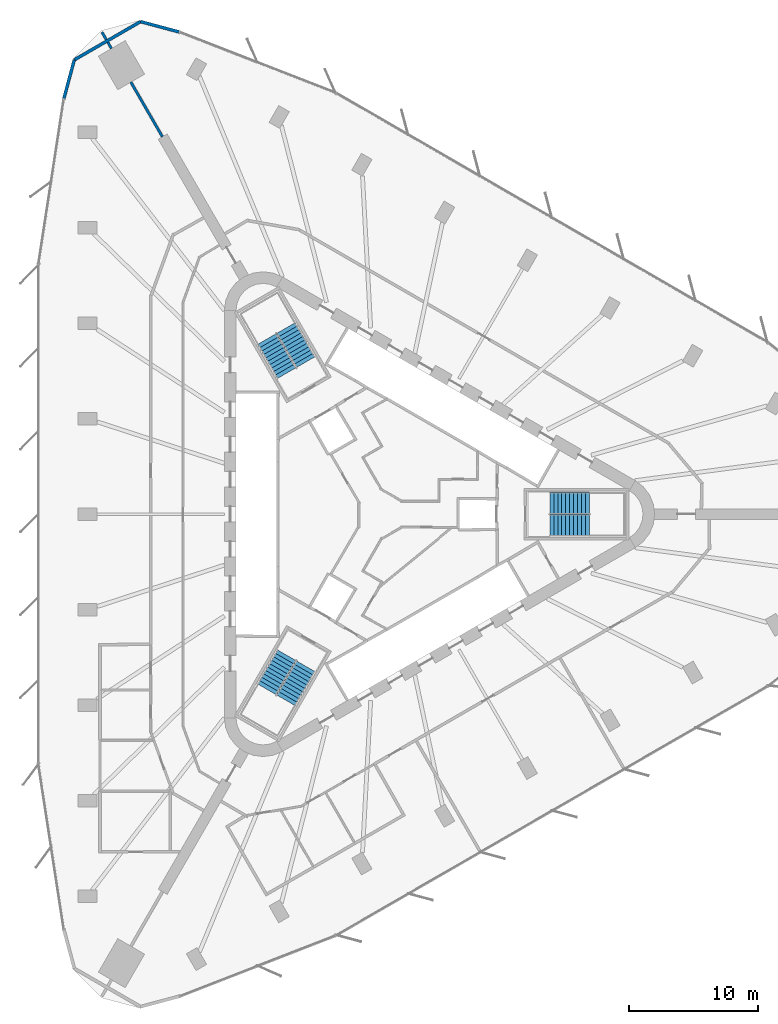
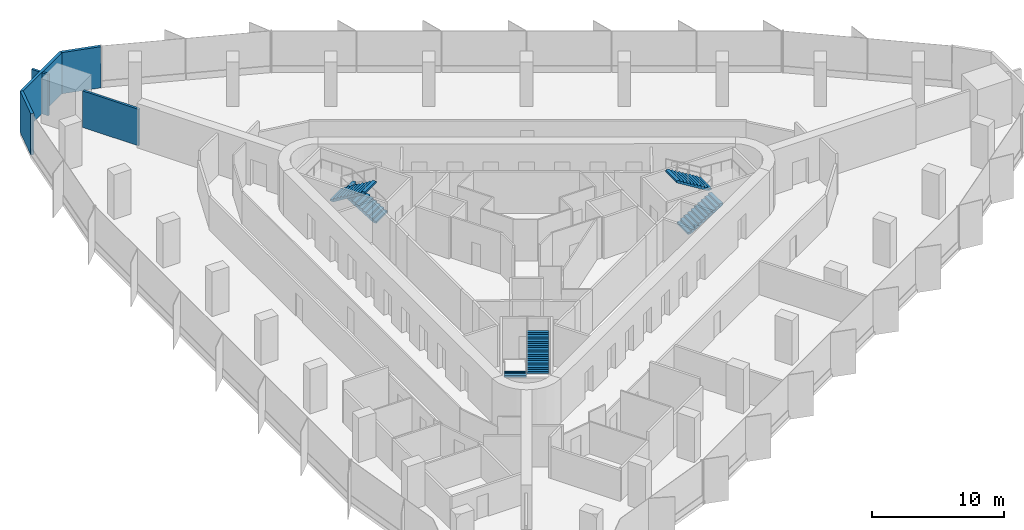
# One storey, part 14 of 15: 6 stair flights, 6 walls, 3 elements without a shape of their own.
"""IFC4 building model written with IfcOpenShell, lengths in metres."""

from ifc_helpers import new_model, si_unit, direction, frame, frame_2d, origin, place, context, subcontext, project, spatial, polyline, rectangle, outline, extrude, material, layer, layer_set, type_object, element, aggregate, save


model = new_model("IFC4")

# Units and contexts
model_context = context("Model", 3, precision=1e-05, world=origin(), true_north=direction((0.0, 1.0)))
body_context = subcontext(model_context, "Body", "Model", "MODEL_VIEW")
ifc_project = project(units=[si_unit("LENGTHUNIT", "METRE"), si_unit("AREAUNIT", "SQUARE_METRE"), si_unit("VOLUMEUNIT", "CUBIC_METRE"), si_unit("PLANEANGLEUNIT", "RADIAN"), si_unit("MASSUNIT", "GRAM", prefix="KILO")], contexts=[model_context])

# Site, building, storey
site_placement = place(None, origin())
site = spatial("IfcSite", under=ifc_project, at=site_placement, CompositionType="ELEMENT")
building_placement = place(site_placement, origin())
building = spatial("IfcBuilding", under=site, at=building_placement, Name="Tanit Gate Tower", CompositionType="ELEMENT")
storey_placement = place(building_placement, frame((0.0, 0.0, 139.800048828125)))
storey = spatial("IfcBuildingStorey", under=building, at=storey_placement, Name="L30", CompositionType="ELEMENT", Elevation=139.800048828125)

# Walls
ifc_material_1 = material(Name="Concrete C30/37 with bronze anodised aluminium cladding", Category="concrete")
ifc_layer_1 = layer(ifc_material_1, 0.239990234375)
ifc_layer_set_1 = layer_set([ifc_layer_1], Name="Facade wall bronze clad 240")
wall_type_1 = type_object("IfcWallType", Name="Facade wall bronze clad 240", PredefinedType="SOLIDWALL", material=ifc_layer_set_1)
wall_1_placement = place(storey_placement, frame((-15.596435546875, 37.322265625, 0.0), z_axis=(0.0, 0.0, 1.0), x_axis=(-0.965937138664, 0.258776823055, 0.0)))
element("IfcWall", 1, at=wall_1_placement, inside=storey, type_object=wall_type_1, Name="Bronze-clad facade wall L30 NW.arc1", PredefinedType="SOLIDWALL", context=body_context, shape_type="SweptSolid", body=[
    extrude(rectangle(XDim=3.095458984375, YDim=0.239990234375, at=frame_2d((1.5478515625, 0.0))), origin(), (0.0, 0.0, 1.0), 3.800048828125),
])
wall_2_placement = place(storey_placement, frame((-18.58642578125, 38.123291015625, 0.0), z_axis=(0.0, 0.0, 1.0), x_axis=(-0.866020370013, -0.500008718647, 0.0)))
element("IfcWall", 2, at=wall_2_placement, inside=storey, type_object=wall_type_1, Name="Bronze-clad facade wall L30 NW.arc2", PredefinedType="SOLIDWALL", context=body_context, shape_type="SweptSolid", body=[
    extrude(rectangle(XDim=5.9306640625, YDim=0.239990234375, at=frame_2d((2.96533203125, 0.0))), origin(), (0.0, 0.0, 1.0), 3.800048828125),
])
wall_3_placement = place(storey_placement, frame((-23.722412109375, 35.157958984375, 0.0), z_axis=(0.0, 0.0, 1.0), x_axis=(-0.258850410475, -0.965917421417, 0.0)))
element("IfcWall", 3, at=wall_3_placement, inside=storey, type_object=wall_type_1, Name="Bronze-clad facade wall L30 NW.arc3", PredefinedType="SOLIDWALL", context=body_context, shape_type="SweptSolid", body=[
    extrude(rectangle(XDim=3.095458984375, YDim=0.239990234375, at=frame_2d((1.5478515625, 0.0))), origin(), (0.0, 0.0, 1.0), 3.800048828125),
])
ifc_material_2 = material(Name="Fire-rated gypsum board partition")
ifc_layer_2 = layer(ifc_material_2, 0.199951171875)
ifc_layer_set_2 = layer_set([ifc_layer_2], Name="INT-WALL-COMPARTMENT")
wall_type_2 = type_object("IfcWallType", Name="INT-WALL-COMPARTMENT", PredefinedType="PARTITIONING", material=ifc_layer_set_2)
wall_4_placement = place(storey_placement, frame((-21.57373046875, 37.306884765625, 0.0), z_axis=(0.0, 0.0, 1.0), x_axis=(0.499880961361, -0.866094119867, 0.0)))
element("IfcWall", 4, at=wall_4_placement, inside=storey, type_object=wall_type_2, Name="Wall Compartment W115", PredefinedType="PARTITIONING", context=body_context, shape_type="SweptSolid", body=[
    extrude(rectangle(XDim=0.666748046875, YDim=0.199951171875, at=frame_2d((0.33349609375, 0.0))), origin(), (0.0, 0.0, 1.0), 3.800048828125),
])
wall_5_placement = place(storey_placement, frame((-21.12060546875, 36.521728515625, 0.0), z_axis=(0.0, 0.0, 1.0), x_axis=(0.500161656815, -0.86593205106, 0.0)))
element("IfcWall", 5, at=wall_5_placement, inside=storey, type_object=wall_type_2, Name="Wall Compartment W115x1", PredefinedType="PARTITIONING", context=body_context, shape_type="SweptSolid", body=[
    extrude(rectangle(XDim=0.561279296875, YDim=0.199951171875, at=frame_2d((0.28076171875, 0.0))), origin(), (0.0, 0.0, 1.0), 3.800048828125),
])
wall_6_placement = place(storey_placement, frame((-19.33984375, 33.437744140625, 0.0), z_axis=(0.0, 0.0, 1.0), x_axis=(0.500002508028, -0.866023955769, 0.0)))
element("IfcWall", 6, at=wall_6_placement, inside=storey, type_object=wall_type_2, Name="Wall Compartment W116", PredefinedType="PARTITIONING", context=body_context, shape_type="SweptSolid", body=[
    extrude(rectangle(XDim=4.8798828125, YDim=0.199951171875, at=frame_2d((2.43994140625, 0.0))), origin(), (0.0, 0.0, 1.0), 3.369873046875),
])

# Stair, stair flights
ifc_material_3 = material(Name="Concrete C40/50", Category="concrete")
stair_type = type_object("IfcStairType", Name="INT-STAIR-EXIT", PredefinedType="HALF_TURN_STAIR", material=ifc_material_3)
stair_1_placement = place(storey_placement, origin())
stair_1 = element("IfcStair", 7, at=stair_1_placement, inside=storey, type_object=stair_type, Name="L30 STAIR S1", PredefinedType="HALF_TURN_STAIR")
ifc_material_4 = material(Name="Concrete C40/50", Category="concrete")
stair_flight_type = type_object("IfcStairFlightType", Name="INT-STAIR-FLIGHT", PredefinedType="STRAIGHT", material=ifc_material_4)
stair_flight_1_placement = place(storey_placement, frame((13.094970703125, -0.8525390625, 0.0), z_axis=(0.0, 0.0, 1.0), x_axis=(1.0, 0.0, 0.0)))
stair_flight_1 = element("IfcStairFlight", 8, at=stair_flight_1_placement, type_object=stair_flight_type, Name="S1 flight 1", NumberOfRisers=11, NumberOfTreads=10, PredefinedType="STRAIGHT", RiserHeight=0.186363636, TreadLength=0.3051, context=body_context, shape_type="SweptSolid", body=[
    extrude(outline(polyline([(0.0, 0.0), (0.0, 0.186279296875), (0.30517578125, 0.186279296875), (0.30517578125, 0.372802734375), (0.610107421875, 0.372802734375), (0.610107421875, 0.55908203125), (0.915283203125, 0.55908203125), (0.915283203125, 0.745361328125), (1.220458984375, 0.745361328125), (1.220458984375, 0.931884765625), (1.525390625, 0.931884765625), (1.525390625, 1.1181640625), (1.83056640625, 1.1181640625), (1.83056640625, 1.304443359375), (2.1357421875, 1.304443359375), (2.1357421875, 1.490966796875), (2.44091796875, 1.490966796875), (2.44091796875, 1.67724609375), (2.745849609375, 1.67724609375), (2.745849609375, 1.863525390625), (3.051025390625, 1.863525390625), (3.051025390625, 2.050048828125), (3.051025390625, 1.68798828125), (0.28759765625, 0.0), (0.0, 0.0)])), frame((0.0, 0.84765625, 0.0), z_axis=(0.0, -1.0, 0.0), x_axis=(1.0, 0.0, 0.0)), (0.0, 0.0, 1.0), 1.695068359375),
])
stair_flight_2_placement = place(storey_placement, frame((16.14599609375, 0.8525390625, 2.050048828125), z_axis=(0.0, 0.0, 1.0), x_axis=(-1.0, 0.0, 0.0)))
stair_flight_2 = element("IfcStairFlight", 9, at=stair_flight_2_placement, type_object=stair_flight_type, Name="S1 flight 2", NumberOfRisers=11, NumberOfTreads=10, PredefinedType="STRAIGHT", RiserHeight=0.186363636, TreadLength=0.3051, context=body_context, shape_type="SweptSolid", body=[
    extrude(outline(polyline([(0.0, 0.0), (0.0, 0.186279296875), (0.30517578125, 0.186279296875), (0.30517578125, 0.372802734375), (0.610107421875, 0.372802734375), (0.610107421875, 0.55908203125), (0.915283203125, 0.55908203125), (0.915283203125, 0.745361328125), (1.220458984375, 0.745361328125), (1.220458984375, 0.931884765625), (1.525390625, 0.931884765625), (1.525390625, 1.1181640625), (1.83056640625, 1.1181640625), (1.83056640625, 1.304443359375), (2.1357421875, 1.304443359375), (2.1357421875, 1.490966796875), (2.44091796875, 1.490966796875), (2.44091796875, 1.67724609375), (2.745849609375, 1.67724609375), (2.745849609375, 1.863525390625), (3.051025390625, 1.863525390625), (3.051025390625, 2.050048828125), (3.051025390625, 1.68798828125), (0.28759765625, 0.0), (0.0, 0.0)])), frame((0.0, 0.84765625, 0.0), z_axis=(0.0, -1.0, 0.0), x_axis=(1.0, 0.0, 0.0)), (0.0, 0.0, 1.0), 1.695068359375),
])
aggregate(stair_1, [stair_flight_1, stair_flight_2])

stair_2_placement = place(storey_placement, origin())
stair_2 = element("IfcStair", 10, at=stair_2_placement, inside=storey, type_object=stair_type, Name="L30 STAIR S2", PredefinedType="HALF_TURN_STAIR")
stair_flight_3_placement = place(storey_placement, frame((-5.808349609375, 11.766357421875, 0.0), z_axis=(0.0, 0.0, 1.0), x_axis=(-0.5, 0.866025403784, 0.0)))
stair_flight_3 = element("IfcStairFlight", 11, at=stair_flight_3_placement, type_object=stair_flight_type, Name="S2 flight 1", NumberOfRisers=11, NumberOfTreads=10, PredefinedType="STRAIGHT", RiserHeight=0.186363636, TreadLength=0.30492, context=body_context, shape_type="SweptSolid", body=[
    extrude(outline(polyline([(0.0, 0.0), (0.0, 0.186279296875), (0.304931640625, 0.186279296875), (0.304931640625, 0.372802734375), (0.60986328125, 0.372802734375), (0.60986328125, 0.55908203125), (0.914794921875, 0.55908203125), (0.914794921875, 0.745361328125), (1.2197265625, 0.745361328125), (1.2197265625, 0.931884765625), (1.524658203125, 0.931884765625), (1.524658203125, 1.1181640625), (1.82958984375, 1.1181640625), (1.82958984375, 1.304443359375), (2.134521484375, 1.304443359375), (2.134521484375, 1.490966796875), (2.439453125, 1.490966796875), (2.439453125, 1.67724609375), (2.744384765625, 1.67724609375), (2.744384765625, 1.863525390625), (3.04931640625, 1.863525390625), (3.04931640625, 2.050048828125), (3.04931640625, 1.68798828125), (0.287353515625, 0.0), (0.0, 0.0)])), frame((0.0, 0.84716796875, 0.0), z_axis=(0.0, -1.0, 0.0), x_axis=(1.0, 0.0, 0.0)), (0.0, 0.0, 1.0), 1.694091796875),
])
stair_flight_4_placement = place(storey_placement, frame((-8.810302734375, 13.553955078125, 2.050048828125), z_axis=(0.0, 0.0, 1.0), x_axis=(0.5, -0.866025403784, 0.0)))
stair_flight_4 = element("IfcStairFlight", 12, at=stair_flight_4_placement, type_object=stair_flight_type, Name="S2 flight 2", NumberOfRisers=11, NumberOfTreads=10, PredefinedType="STRAIGHT", RiserHeight=0.186363636, TreadLength=0.30492, context=body_context, shape_type="SweptSolid", body=[
    extrude(outline(polyline([(0.0, 0.0), (0.0, 0.186279296875), (0.304931640625, 0.186279296875), (0.304931640625, 0.372802734375), (0.60986328125, 0.372802734375), (0.60986328125, 0.55908203125), (0.914794921875, 0.55908203125), (0.914794921875, 0.745361328125), (1.2197265625, 0.745361328125), (1.2197265625, 0.931884765625), (1.524658203125, 0.931884765625), (1.524658203125, 1.1181640625), (1.82958984375, 1.1181640625), (1.82958984375, 1.304443359375), (2.134521484375, 1.304443359375), (2.134521484375, 1.490966796875), (2.439453125, 1.490966796875), (2.439453125, 1.67724609375), (2.744384765625, 1.67724609375), (2.744384765625, 1.863525390625), (3.04931640625, 1.863525390625), (3.04931640625, 2.050048828125), (3.04931640625, 1.68798828125), (0.287353515625, 0.0), (0.0, 0.0)])), frame((0.0, 0.84716796875, 0.0), z_axis=(0.0, -1.0, 0.0), x_axis=(1.0, 0.0, 0.0)), (0.0, 0.0, 1.0), 1.694091796875),
])
aggregate(stair_2, [stair_flight_3, stair_flight_4])

stair_3_placement = place(storey_placement, origin())
stair_3 = element("IfcStair", 13, at=stair_3_placement, inside=storey, type_object=stair_type, Name="L30 STAIR S3", PredefinedType="HALF_TURN_STAIR")
stair_flight_5_placement = place(storey_placement, frame((-7.285888671875, -10.914306640625, 0.0), z_axis=(0.0, 0.0, 1.0), x_axis=(-0.5, -0.866025403784, 0.0)))
stair_flight_5 = element("IfcStairFlight", 14, at=stair_flight_5_placement, type_object=stair_flight_type, Name="S3 flight 1", NumberOfRisers=11, NumberOfTreads=10, PredefinedType="STRAIGHT", RiserHeight=0.186363636, TreadLength=0.3051, context=body_context, shape_type="SweptSolid", body=[
    extrude(outline(polyline([(0.0, 0.0), (0.0, 0.186279296875), (0.30517578125, 0.186279296875), (0.30517578125, 0.372802734375), (0.610107421875, 0.372802734375), (0.610107421875, 0.55908203125), (0.915283203125, 0.55908203125), (0.915283203125, 0.745361328125), (1.220458984375, 0.745361328125), (1.220458984375, 0.931884765625), (1.525390625, 0.931884765625), (1.525390625, 1.1181640625), (1.83056640625, 1.1181640625), (1.83056640625, 1.304443359375), (2.1357421875, 1.304443359375), (2.1357421875, 1.490966796875), (2.44091796875, 1.490966796875), (2.44091796875, 1.67724609375), (2.745849609375, 1.67724609375), (2.745849609375, 1.863525390625), (3.051025390625, 1.863525390625), (3.051025390625, 2.050048828125), (3.051025390625, 1.68798828125), (0.28759765625, 0.0), (0.0, 0.0)])), frame((0.0, 0.84765625, 0.0), z_axis=(0.0, -1.0, 0.0), x_axis=(1.0, 0.0, 0.0)), (0.0, 0.0, 1.0), 1.695068359375),
])
stair_flight_6_placement = place(storey_placement, frame((-7.334716796875, -14.4091796875, 2.050048828125), z_axis=(0.0, 0.0, 1.0), x_axis=(0.5, 0.866025403784, 0.0)))
stair_flight_6 = element("IfcStairFlight", 15, at=stair_flight_6_placement, type_object=stair_flight_type, Name="S3 flight 2", NumberOfRisers=11, NumberOfTreads=10, PredefinedType="STRAIGHT", RiserHeight=0.186363636, TreadLength=0.3051, context=body_context, shape_type="SweptSolid", body=[
    extrude(outline(polyline([(0.0, 0.0), (0.0, 0.186279296875), (0.30517578125, 0.186279296875), (0.30517578125, 0.372802734375), (0.610107421875, 0.372802734375), (0.610107421875, 0.55908203125), (0.915283203125, 0.55908203125), (0.915283203125, 0.745361328125), (1.220458984375, 0.745361328125), (1.220458984375, 0.931884765625), (1.525390625, 0.931884765625), (1.525390625, 1.1181640625), (1.83056640625, 1.1181640625), (1.83056640625, 1.304443359375), (2.1357421875, 1.304443359375), (2.1357421875, 1.490966796875), (2.44091796875, 1.490966796875), (2.44091796875, 1.67724609375), (2.745849609375, 1.67724609375), (2.745849609375, 1.863525390625), (3.051025390625, 1.863525390625), (3.051025390625, 2.050048828125), (3.051025390625, 1.68798828125), (0.28759765625, 0.0), (0.0, 0.0)])), frame((0.0, 0.84765625, 0.0), z_axis=(0.0, -1.0, 0.0), x_axis=(1.0, 0.0, 0.0)), (0.0, 0.0, 1.0), 1.695068359375),
])
aggregate(stair_3, [stair_flight_5, stair_flight_6])

save(model, "model.ifc")
